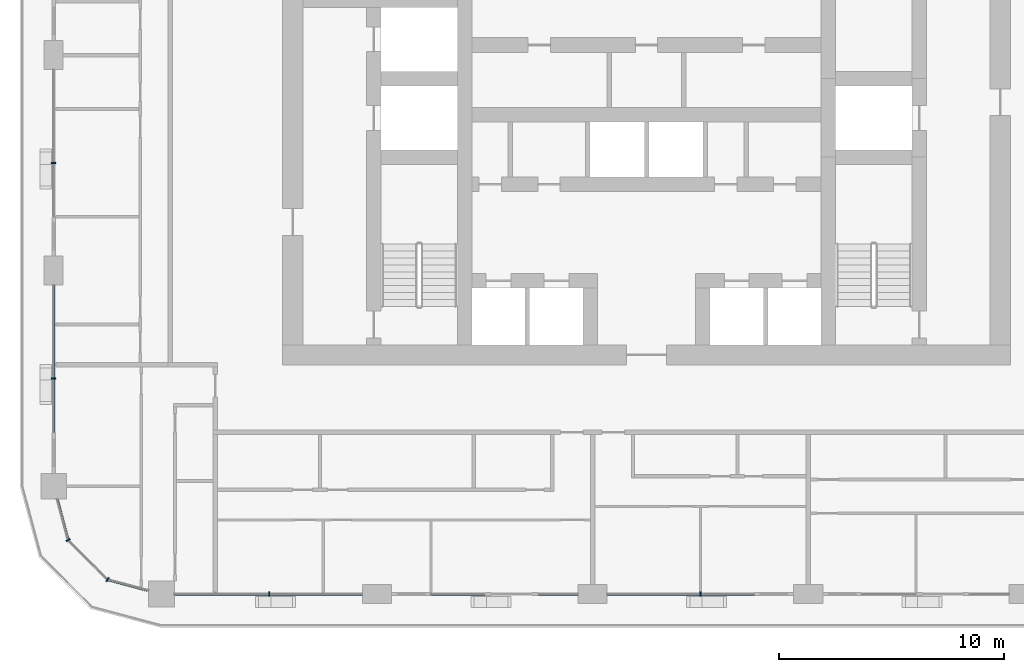
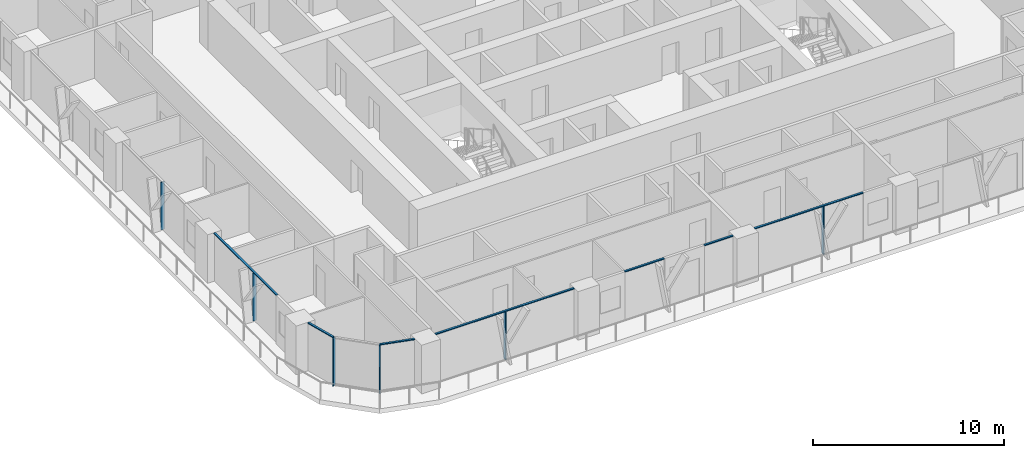
# One storey, part 2 of 21: 13 members, 6 elements without a shape of their own.
"""IFC4 building model written with IfcOpenShell, lengths in metres."""

from ifc_helpers import new_model, si_unit, direction, frame, origin, origin_2d, place, context, subcontext, project, spatial, rectangle, extrude, material, layer, layer_set, material_profile, profile_set, type_object, element, aggregate, save


model = new_model("IFC4")

# Units and contexts
model_context = context("Model", 3, precision=1e-05, world=origin(), true_north=direction((0.0, 1.0)))
body_context = subcontext(model_context, "Body", "Model", "MODEL_VIEW")
ifc_project = project(units=[si_unit("LENGTHUNIT", "METRE"), si_unit("AREAUNIT", "SQUARE_METRE"), si_unit("VOLUMEUNIT", "CUBIC_METRE"), si_unit("PLANEANGLEUNIT", "RADIAN"), si_unit("MASSUNIT", "GRAM", prefix="KILO")], contexts=[model_context])

# Site, building, storey
site_placement = place(None, origin())
site = spatial("IfcSite", under=ifc_project, at=site_placement, CompositionType="ELEMENT")
building_placement = place(site_placement, origin())
building = spatial("IfcBuilding", under=site, at=building_placement, Name="Madar Terraces", CompositionType="ELEMENT")
storey_placement = place(building_placement, frame((0.0, 0.0, 110.199951171875)))
storey = spatial("IfcBuildingStorey", under=building, at=storey_placement, Name="L28", CompositionType="ELEMENT", Elevation=110.199951171875)

# Curtain wall, member
ifc_material_1 = material(Name="Glass, ceramic frit dark grey, with black aluminium frame", Category="aluminium")
ifc_layer = layer(ifc_material_1, 0.199951171875)
ifc_layer_set = layer_set([ifc_layer], Name="Facade curtain wall, fritted glass")
curtain_wall_type = type_object("IfcCurtainWallType", Name="Facade curtain wall, fritted glass", PredefinedType="NOTDEFINED", material=ifc_layer_set)
curtain_wall_1_placement = place(storey_placement, origin())
curtain_wall_1 = element("IfcCurtainWall", 1, at=curtain_wall_1_placement, inside=storey, type_object=curtain_wall_type, Name="Outer skin curtain wall south bay 1", PredefinedType="NOTDEFINED")
ifc_material_2 = material(Name="Aluminium, black anodised", Category="aluminium")
ifc_material_profile_1 = material_profile(ifc_material_2, rectangle(XDim=0.199951171875, YDim=0.06005859375, at=origin_2d()), Name="Facade mullion 60x200")
ifc_profile_set_1 = profile_set([ifc_material_profile_1], Name="Aluminium, black anodised")
member_type_1 = type_object("IfcMemberType", Name="Facade mullion 60x200", PredefinedType="MULLION", material=ifc_profile_set_1)
member_1_placement = place(storey_placement, frame((14.39990234375, 4.800048828125, 0.0), z_axis=(0.0, 0.0, 1.0), x_axis=(0.0, 1.0, 0.0)))
member_1 = element("IfcMember", 2, at=member_1_placement, type_object=member_type_1, Name="Mullion 1", PredefinedType="MULLION", context=body_context, shape_type="SweptSolid", body=[
    extrude(rectangle(XDim=0.199951171875, YDim=0.06005859375, at=origin_2d()), origin(), (0.0, 0.0, 1.0), 3.0400390625),
])

curtain_wall_2_placement = place(storey_placement, origin())
curtain_wall_2 = element("IfcCurtainWall", 3, at=curtain_wall_2_placement, inside=storey, type_object=curtain_wall_type, Name="Outer skin curtain wall south bay 3", PredefinedType="NOTDEFINED")
member_2_placement = place(storey_placement, frame((33.60009765625, 4.800048828125, 0.0), z_axis=(0.0, 0.0, 1.0), x_axis=(0.0, 1.0, 0.0)))
member_2 = element("IfcMember", 4, at=member_2_placement, type_object=member_type_1, Name="Mullion 1", PredefinedType="MULLION", context=body_context, shape_type="SweptSolid", body=[
    extrude(rectangle(XDim=0.199951171875, YDim=0.06005859375, at=origin_2d()), origin(), (0.0, 0.0, 1.0), 3.0400390625),
])

curtain_wall_3_placement = place(storey_placement, origin())
curtain_wall_3 = element("IfcCurtainWall", 5, at=curtain_wall_3_placement, inside=storey, type_object=curtain_wall_type, Name="Outer skin curtain wall west bay 3", PredefinedType="NOTDEFINED")
member_3_placement = place(storey_placement, frame((4.800048828125, 24.0, 0.0), z_axis=(0.0, 0.0, 1.0), x_axis=(1.0, 0.0, 0.0)))
member_3 = element("IfcMember", 6, at=member_3_placement, type_object=member_type_1, Name="Mullion 1", PredefinedType="MULLION", context=body_context, shape_type="SweptSolid", body=[
    extrude(rectangle(XDim=0.199951171875, YDim=0.06005859375, at=origin_2d()), origin(), (0.0, 0.0, 1.0), 3.0400390625),
])
aggregate(curtain_wall_3, [member_3])

curtain_wall_4_placement = place(storey_placement, origin())
curtain_wall_4 = element("IfcCurtainWall", 7, at=curtain_wall_4_placement, inside=storey, type_object=curtain_wall_type, Name="Outer skin curtain wall west bay 4", PredefinedType="NOTDEFINED")
member_4_placement = place(storey_placement, frame((4.800048828125, 14.39990234375, 0.0), z_axis=(0.0, 0.0, 1.0), x_axis=(1.0, 0.0, 0.0)))
member_4 = element("IfcMember", 8, at=member_4_placement, type_object=member_type_1, Name="Mullion 1", PredefinedType="MULLION", context=body_context, shape_type="SweptSolid", body=[
    extrude(rectangle(XDim=0.199951171875, YDim=0.06005859375, at=origin_2d()), origin(), (0.0, 0.0, 1.0), 3.0400390625),
])

# Curtain wall, members
curtain_wall_5_placement = place(storey_placement, origin())
curtain_wall_5 = element("IfcCurtainWall", 9, at=curtain_wall_5_placement, inside=storey, type_object=curtain_wall_type, Name="Outer skin curtain wall south-west corner", PredefinedType="NOTDEFINED")
member_5_placement = place(storey_placement, frame((5.443115234375, 7.199951171875, 0.0), z_axis=(0.0, 0.0, 1.0), x_axis=(0.866025409797, 0.499999989586, 0.0)))
member_5 = element("IfcMember", 10, at=member_5_placement, type_object=member_type_1, Name="Mullion 1", PredefinedType="MULLION", context=body_context, shape_type="SweptSolid", body=[
    extrude(rectangle(XDim=0.199951171875, YDim=0.06005859375, at=origin_2d()), origin(), (0.0, 0.0, 1.0), 3.0400390625),
])
member_6_placement = place(storey_placement, frame((7.199951171875, 5.443115234375, 0.0), z_axis=(0.0, 0.0, 1.0), x_axis=(0.499999989586, 0.866025409797, 0.0)))
member_6 = element("IfcMember", 11, at=member_6_placement, type_object=member_type_1, Name="Mullion 2", PredefinedType="MULLION", context=body_context, shape_type="SweptSolid", body=[
    extrude(rectangle(XDim=0.199951171875, YDim=0.06005859375, at=origin_2d()), origin(), (0.0, 0.0, 1.0), 3.0400390625),
])

# Member
ifc_material_3 = material(Name="Aluminium, black anodised", Category="aluminium")
ifc_material_profile_2 = material_profile(ifc_material_3, rectangle(XDim=0.1201171875, YDim=0.06005859375, at=origin_2d()), Name="Facade transom 60x120")
ifc_profile_set_2 = profile_set([ifc_material_profile_2], Name="Aluminium, black anodised")
member_type_2 = type_object("IfcMemberType", Name="Facade transom 60x120", PredefinedType="USERDEFINED", material=ifc_profile_set_2)
member_7_placement = place(storey_placement, frame((10.175048828125, 4.800048828125, 3.070068359375), z_axis=(1.0, 0.0, 0.0), x_axis=(0.0, 1.0, 0.0)))
member_7 = element("IfcMember", 12, at=member_7_placement, type_object=member_type_2, Name="Transom 1", ObjectType="TRANSOM", PredefinedType="USERDEFINED", context=body_context, shape_type="SweptSolid", body=[
    extrude(rectangle(XDim=0.1201171875, YDim=0.06005859375, at=origin_2d()), origin(), (0.0, 0.0, 1.0), 8.375),
])

aggregate(curtain_wall_1, [member_1, member_7])

# Curtain wall, members
curtain_wall_6_placement = place(storey_placement, origin())
curtain_wall_6 = element("IfcCurtainWall", 13, at=curtain_wall_6_placement, inside=storey, type_object=curtain_wall_type, Name="Outer skin curtain wall south bay 2", PredefinedType="NOTDEFINED")
member_8_placement = place(storey_placement, frame((21.60009765625, 4.800048828125, 3.070068359375), z_axis=(1.0, 0.0, 0.0), x_axis=(0.0, 1.0, 0.0)))
member_8 = element("IfcMember", 14, at=member_8_placement, type_object=member_type_2, Name="Transom 1", ObjectType="TRANSOM", PredefinedType="USERDEFINED", context=body_context, shape_type="SweptSolid", body=[
    extrude(rectangle(XDim=0.1201171875, YDim=0.06005859375, at=origin_2d()), origin(), (0.0, 0.0, 1.0), 2.39990234375),
])
member_9_placement = place(storey_placement, frame((26.39990234375, 4.800048828125, 3.070068359375), z_axis=(1.0, 0.0, 0.0), x_axis=(0.0, 1.0, 0.0)))
member_9 = element("IfcMember", 15, at=member_9_placement, type_object=member_type_2, Name="Transom 2", ObjectType="TRANSOM", PredefinedType="USERDEFINED", context=body_context, shape_type="SweptSolid", body=[
    extrude(rectangle(XDim=0.1201171875, YDim=0.06005859375, at=origin_2d()), origin(), (0.0, 0.0, 1.0), 1.75),
])
aggregate(curtain_wall_6, [member_8, member_9])

# Member
member_10_placement = place(storey_placement, frame((29.449951171875, 4.800048828125, 3.070068359375), z_axis=(1.0, 0.0, 0.0), x_axis=(0.0, 1.0, 0.0)))
member_10 = element("IfcMember", 16, at=member_10_placement, type_object=member_type_2, Name="Transom 1", ObjectType="TRANSOM", PredefinedType="USERDEFINED", context=body_context, shape_type="SweptSolid", body=[
    extrude(rectangle(XDim=0.1201171875, YDim=0.06005859375, at=origin_2d()), origin(), (0.0, 0.0, 1.0), 6.550048828125),
])

aggregate(curtain_wall_2, [member_2, member_10])

member_11_placement = place(storey_placement, frame((4.800048828125, 18.550048828125, 3.070068359375), z_axis=(0.0, -1.0, 0.0), x_axis=(1.0, 0.0, 0.0)))
member_11 = element("IfcMember", 17, at=member_11_placement, type_object=member_type_2, Name="Transom 1", ObjectType="TRANSOM", PredefinedType="USERDEFINED", context=body_context, shape_type="SweptSolid", body=[
    extrude(rectangle(XDim=0.1201171875, YDim=0.06005859375, at=origin_2d()), origin(), (0.0, 0.0, 1.0), 6.550048828125),
])

aggregate(curtain_wall_4, [member_4, member_11])

member_12_placement = place(storey_placement, frame((4.9541015625, 9.02490234375, 3.070068359375), z_axis=(0.258814847786, -0.965926950947, 0.0), x_axis=(0.965926950947, 0.258814847786, 0.0)))
member_12 = element("IfcMember", 18, at=member_12_placement, type_object=member_type_2, Name="Transom 1", ObjectType="TRANSOM", PredefinedType="USERDEFINED", context=body_context, shape_type="SweptSolid", body=[
    extrude(rectangle(XDim=0.1201171875, YDim=0.06005859375, at=origin_2d()), origin(), (0.0, 0.0, 1.0), 1.859130859375),
])

member_13_placement = place(storey_placement, frame((7.22900390625, 5.435302734375, 3.070068359375), z_axis=(0.965926950947, -0.258814847786, 0.0), x_axis=(0.258814847786, 0.965926950947, 0.0)))
member_13 = element("IfcMember", 19, at=member_13_placement, type_object=member_type_2, Name="Transom 3", ObjectType="TRANSOM", PredefinedType="USERDEFINED", context=body_context, shape_type="SweptSolid", body=[
    extrude(rectangle(XDim=0.1201171875, YDim=0.06005859375, at=origin_2d()), origin(), (0.0, 0.0, 1.0), 1.859130859375),
])

aggregate(curtain_wall_5, [member_5, member_12, member_6, member_13])

save(model, "model.ifc")
